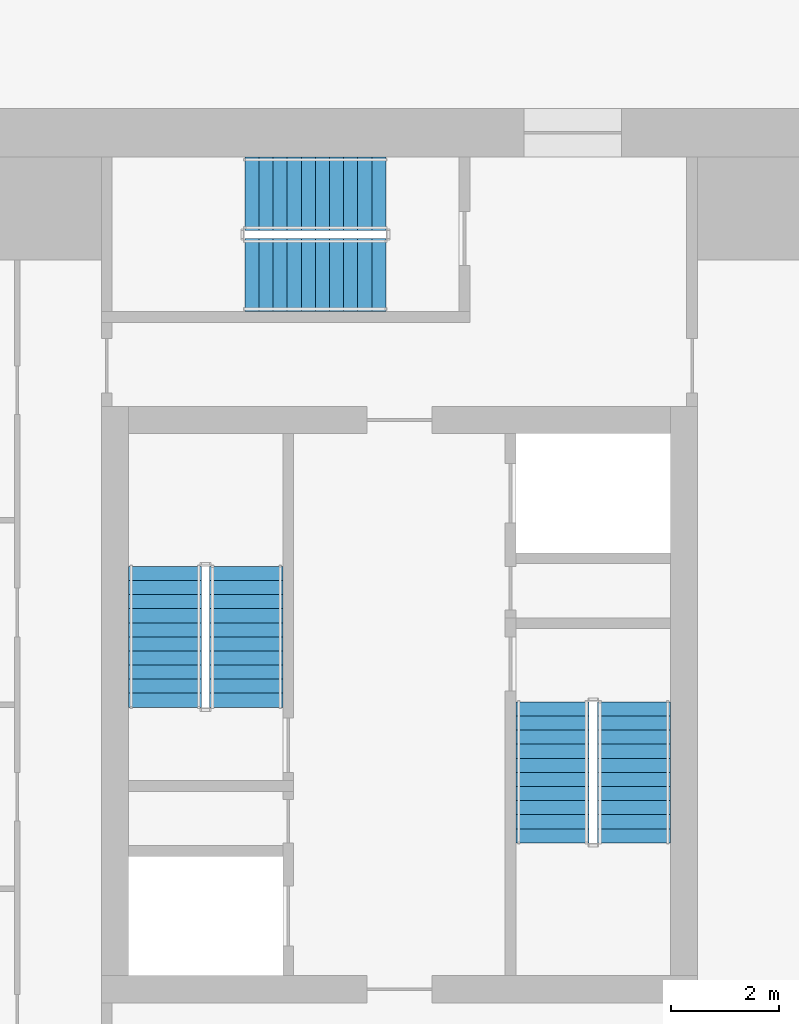
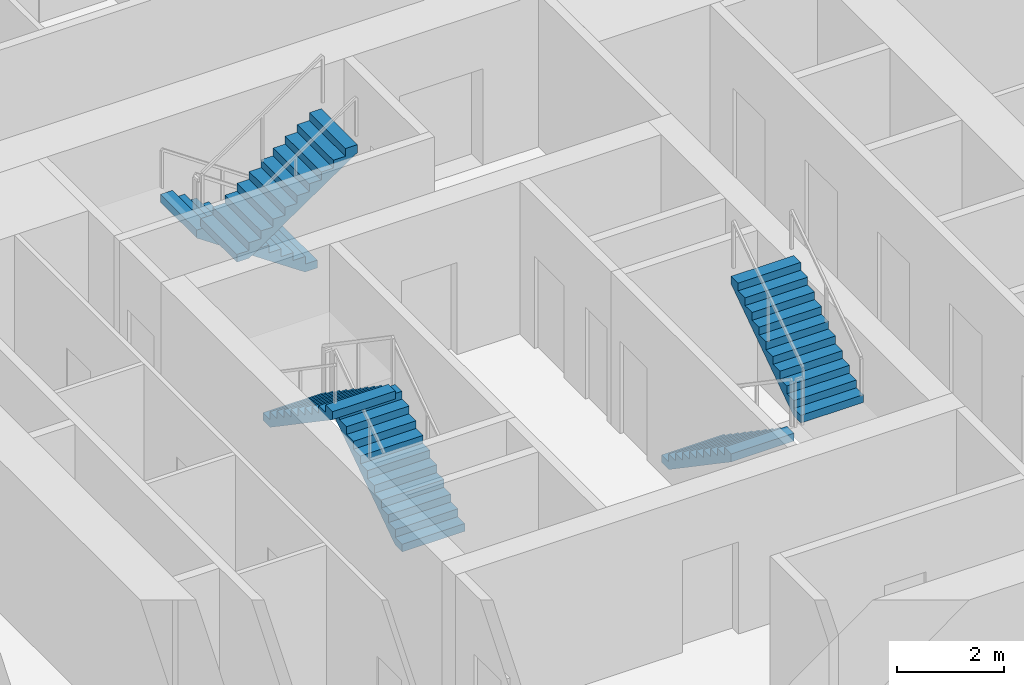
# One storey, part 9 of 15: 6 stair flights, 3 elements without a shape of their own.
"""IFC4 building model written with IfcOpenShell, lengths in metres."""

from ifc_helpers import new_model, si_unit, direction, frame, origin, place, context, subcontext, project, spatial, polyline, outline, extrude, material, type_object, element, aggregate, save


model = new_model("IFC4")

# Units and contexts
model_context = context("Model", 3, precision=1e-05, world=origin(), true_north=direction((0.0, 1.0)))
body_context = subcontext(model_context, "Body", "Model", "MODEL_VIEW")
ifc_project = project(units=[si_unit("LENGTHUNIT", "METRE"), si_unit("AREAUNIT", "SQUARE_METRE"), si_unit("VOLUMEUNIT", "CUBIC_METRE"), si_unit("PLANEANGLEUNIT", "RADIAN"), si_unit("MASSUNIT", "GRAM", prefix="KILO")], contexts=[model_context])

# Site, building, storey
site_placement = place(None, origin())
site = spatial("IfcSite", under=ifc_project, at=site_placement, CompositionType="ELEMENT")
building_placement = place(site_placement, origin())
building = spatial("IfcBuilding", under=site, at=building_placement, Name="Khepri Terraces", CompositionType="ELEMENT")
storey_placement = place(building_placement, frame((0.0, 0.0, 196.199951171875)))
storey = spatial("IfcBuildingStorey", under=building, at=storey_placement, Name="L46", CompositionType="ELEMENT", Elevation=196.199951171875)

# Stair, stair flights
ifc_material = material(Name="Concrete C40/50", Category="concrete")
stair_type = type_object("IfcStairType", Name="STAIR-RC-22R", PredefinedType="HALF_TURN_STAIR", material=ifc_material)
stair_1_placement = place(storey_placement, origin())
stair_1 = element("IfcStair", 1, at=stair_1_placement, inside=storey, type_object=stair_type, Name="L46 Exit Stair ST-1", PredefinedType="HALF_TURN_STAIR")
stair_flight_type = type_object("IfcStairFlightType", Name="SFL-RC-177.3", PredefinedType="STRAIGHT", material=ifc_material)
stair_flight_1_placement = place(storey_placement, frame((-2.824951171875, -0.050048828125, 0.0), z_axis=(0.0, 0.0, 1.0), x_axis=(0.0, 1.0, 0.0)))
stair_flight_1 = element("IfcStairFlight", 2, at=stair_flight_1_placement, type_object=stair_flight_type, Name="ST-1 flight 1", NumberOfRisers=11, NumberOfTreads=10, PredefinedType="STRAIGHT", RiserHeight=0.177272727, TreadLength=0.26, context=body_context, shape_type="SweptSolid", body=[
    extrude(outline(polyline([(0.0, 0.0), (0.0, 0.17724609375), (0.260009765625, 0.17724609375), (0.260009765625, 0.3544921875), (0.52001953125, 0.3544921875), (0.52001953125, 0.53173828125), (0.780029296875, 0.53173828125), (0.780029296875, 0.708984375), (1.0400390625, 0.708984375), (1.0400390625, 0.886474609375), (1.300048828125, 0.886474609375), (1.300048828125, 1.063720703125), (1.56005859375, 1.063720703125), (1.56005859375, 1.240966796875), (1.820068359375, 1.240966796875), (1.820068359375, 1.418212890625), (2.080078125, 1.418212890625), (2.080078125, 1.595458984375), (2.340087890625, 1.595458984375), (2.340087890625, 1.772705078125), (2.60009765625, 1.772705078125), (2.60009765625, 1.949951171875), (2.60009765625, 1.59130859375), (0.26611328125, 0.0), (0.0, 0.0)])), frame((0.0, 0.675048828125, 0.0), z_axis=(0.0, -1.0, 0.0), x_axis=(1.0, 0.0, 0.0)), (0.0, 0.0, 1.0), 1.35009765625),
])
stair_flight_2_placement = place(storey_placement, frame((-4.324951171875, 2.550048828125, 1.949951171875), z_axis=(0.0, 0.0, 1.0), x_axis=(0.0, -1.0, 0.0)))
stair_flight_2 = element("IfcStairFlight", 3, at=stair_flight_2_placement, type_object=stair_flight_type, Name="ST-1 flight 2", NumberOfRisers=11, NumberOfTreads=10, PredefinedType="STRAIGHT", RiserHeight=0.177272727, TreadLength=0.26, context=body_context, shape_type="SweptSolid", body=[
    extrude(outline(polyline([(0.0, 0.0), (0.0, 0.17724609375), (0.260009765625, 0.17724609375), (0.260009765625, 0.3544921875), (0.52001953125, 0.3544921875), (0.52001953125, 0.53173828125), (0.780029296875, 0.53173828125), (0.780029296875, 0.708984375), (1.0400390625, 0.708984375), (1.0400390625, 0.886474609375), (1.300048828125, 0.886474609375), (1.300048828125, 1.063720703125), (1.56005859375, 1.063720703125), (1.56005859375, 1.240966796875), (1.820068359375, 1.240966796875), (1.820068359375, 1.418212890625), (2.080078125, 1.418212890625), (2.080078125, 1.595458984375), (2.340087890625, 1.595458984375), (2.340087890625, 1.772705078125), (2.60009765625, 1.772705078125), (2.60009765625, 1.949951171875), (2.60009765625, 1.59130859375), (0.26611328125, 0.0), (0.0, 0.0)])), frame((0.0, 0.675048828125, 0.0), z_axis=(0.0, -1.0, 0.0), x_axis=(1.0, 0.0, 0.0)), (0.0, 0.0, 1.0), 1.35009765625),
])
aggregate(stair_1, [stair_flight_1, stair_flight_2])

stair_2_placement = place(storey_placement, origin())
stair_2 = element("IfcStair", 4, at=stair_2_placement, inside=storey, type_object=stair_type, Name="L46 Exit Stair ST-2", PredefinedType="HALF_TURN_STAIR")
stair_flight_3_placement = place(storey_placement, frame((2.824951171875, 0.050048828125, 0.0), z_axis=(0.0, 0.0, 1.0), x_axis=(0.0, -1.0, 0.0)))
stair_flight_3 = element("IfcStairFlight", 5, at=stair_flight_3_placement, type_object=stair_flight_type, Name="ST-2 flight 1", NumberOfRisers=11, NumberOfTreads=10, PredefinedType="STRAIGHT", RiserHeight=0.177272727, TreadLength=0.26, context=body_context, shape_type="SweptSolid", body=[
    extrude(outline(polyline([(0.0, 0.0), (0.0, 0.17724609375), (0.260009765625, 0.17724609375), (0.260009765625, 0.3544921875), (0.52001953125, 0.3544921875), (0.52001953125, 0.53173828125), (0.780029296875, 0.53173828125), (0.780029296875, 0.708984375), (1.0400390625, 0.708984375), (1.0400390625, 0.886474609375), (1.300048828125, 0.886474609375), (1.300048828125, 1.063720703125), (1.56005859375, 1.063720703125), (1.56005859375, 1.240966796875), (1.820068359375, 1.240966796875), (1.820068359375, 1.418212890625), (2.080078125, 1.418212890625), (2.080078125, 1.595458984375), (2.340087890625, 1.595458984375), (2.340087890625, 1.772705078125), (2.60009765625, 1.772705078125), (2.60009765625, 1.949951171875), (2.60009765625, 1.59130859375), (0.26611328125, 0.0), (0.0, 0.0)])), frame((0.0, 0.675048828125, 0.0), z_axis=(0.0, -1.0, 0.0), x_axis=(1.0, 0.0, 0.0)), (0.0, 0.0, 1.0), 1.35009765625),
])
stair_flight_4_placement = place(storey_placement, frame((4.324951171875, -2.550048828125, 1.949951171875), z_axis=(0.0, 0.0, 1.0), x_axis=(0.0, 1.0, 0.0)))
stair_flight_4 = element("IfcStairFlight", 6, at=stair_flight_4_placement, type_object=stair_flight_type, Name="ST-2 flight 2", NumberOfRisers=11, NumberOfTreads=10, PredefinedType="STRAIGHT", RiserHeight=0.177272727, TreadLength=0.26, context=body_context, shape_type="SweptSolid", body=[
    extrude(outline(polyline([(0.0, 0.0), (0.0, 0.17724609375), (0.260009765625, 0.17724609375), (0.260009765625, 0.3544921875), (0.52001953125, 0.3544921875), (0.52001953125, 0.53173828125), (0.780029296875, 0.53173828125), (0.780029296875, 0.708984375), (1.0400390625, 0.708984375), (1.0400390625, 0.886474609375), (1.300048828125, 0.886474609375), (1.300048828125, 1.063720703125), (1.56005859375, 1.063720703125), (1.56005859375, 1.240966796875), (1.820068359375, 1.240966796875), (1.820068359375, 1.418212890625), (2.080078125, 1.418212890625), (2.080078125, 1.595458984375), (2.340087890625, 1.595458984375), (2.340087890625, 1.772705078125), (2.60009765625, 1.772705078125), (2.60009765625, 1.949951171875), (2.60009765625, 1.59130859375), (0.26611328125, 0.0), (0.0, 0.0)])), frame((0.0, 0.675048828125, 0.0), z_axis=(0.0, -1.0, 0.0), x_axis=(1.0, 0.0, 0.0)), (0.0, 0.0, 1.0), 1.35009765625),
])
aggregate(stair_2, [stair_flight_3, stair_flight_4])

stair_3_placement = place(storey_placement, origin())
stair_3 = element("IfcStair", 7, at=stair_3_placement, inside=storey, type_object=stair_type, Name="L46 Exit Stair ST-3", PredefinedType="HALF_TURN_STAIR")
stair_flight_5_placement = place(storey_placement, frame((-0.25, 9.425048828125, 0.0), z_axis=(0.0, 0.0, 1.0), x_axis=(-1.0, 0.0, 0.0)))
stair_flight_5 = element("IfcStairFlight", 8, at=stair_flight_5_placement, type_object=stair_flight_type, Name="ST-3 flight 1", NumberOfRisers=11, NumberOfTreads=10, PredefinedType="STRAIGHT", RiserHeight=0.177272727, TreadLength=0.26, context=body_context, shape_type="SweptSolid", body=[
    extrude(outline(polyline([(0.0, 0.0), (0.0, 0.17724609375), (0.260009765625, 0.17724609375), (0.260009765625, 0.3544921875), (0.52001953125, 0.3544921875), (0.52001953125, 0.53173828125), (0.780029296875, 0.53173828125), (0.780029296875, 0.708984375), (1.0400390625, 0.708984375), (1.0400390625, 0.886474609375), (1.300048828125, 0.886474609375), (1.300048828125, 1.063720703125), (1.56005859375, 1.063720703125), (1.56005859375, 1.240966796875), (1.820068359375, 1.240966796875), (1.820068359375, 1.418212890625), (2.080078125, 1.418212890625), (2.080078125, 1.595458984375), (2.340087890625, 1.595458984375), (2.340087890625, 1.772705078125), (2.60009765625, 1.772705078125), (2.60009765625, 1.949951171875), (2.60009765625, 1.59130859375), (0.26611328125, 0.0), (0.0, 0.0)])), frame((0.0, 0.675048828125, 0.0), z_axis=(0.0, -1.0, 0.0), x_axis=(1.0, 0.0, 0.0)), (0.0, 0.0, 1.0), 1.35009765625),
])
stair_flight_6_placement = place(storey_placement, frame((-2.85009765625, 7.925048828125, 1.949951171875), z_axis=(0.0, 0.0, 1.0), x_axis=(1.0, 0.0, 0.0)))
stair_flight_6 = element("IfcStairFlight", 9, at=stair_flight_6_placement, type_object=stair_flight_type, Name="ST-3 flight 2", NumberOfRisers=11, NumberOfTreads=10, PredefinedType="STRAIGHT", RiserHeight=0.177272727, TreadLength=0.26, context=body_context, shape_type="SweptSolid", body=[
    extrude(outline(polyline([(0.0, 0.0), (0.0, 0.17724609375), (0.260009765625, 0.17724609375), (0.260009765625, 0.3544921875), (0.52001953125, 0.3544921875), (0.52001953125, 0.53173828125), (0.780029296875, 0.53173828125), (0.780029296875, 0.708984375), (1.0400390625, 0.708984375), (1.0400390625, 0.886474609375), (1.300048828125, 0.886474609375), (1.300048828125, 1.063720703125), (1.56005859375, 1.063720703125), (1.56005859375, 1.240966796875), (1.820068359375, 1.240966796875), (1.820068359375, 1.418212890625), (2.080078125, 1.418212890625), (2.080078125, 1.595458984375), (2.340087890625, 1.595458984375), (2.340087890625, 1.772705078125), (2.60009765625, 1.772705078125), (2.60009765625, 1.949951171875), (2.60009765625, 1.59130859375), (0.26611328125, 0.0), (0.0, 0.0)])), frame((0.0, 0.675048828125, 0.0), z_axis=(0.0, -1.0, 0.0), x_axis=(1.0, 0.0, 0.0)), (0.0, 0.0, 1.0), 1.35009765625),
])
aggregate(stair_3, [stair_flight_5, stair_flight_6])

save(model, "model.ifc")
